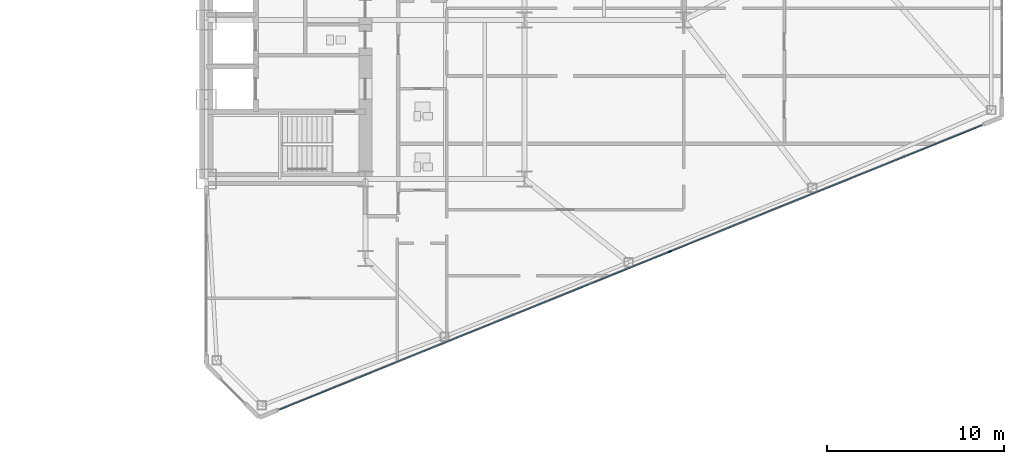
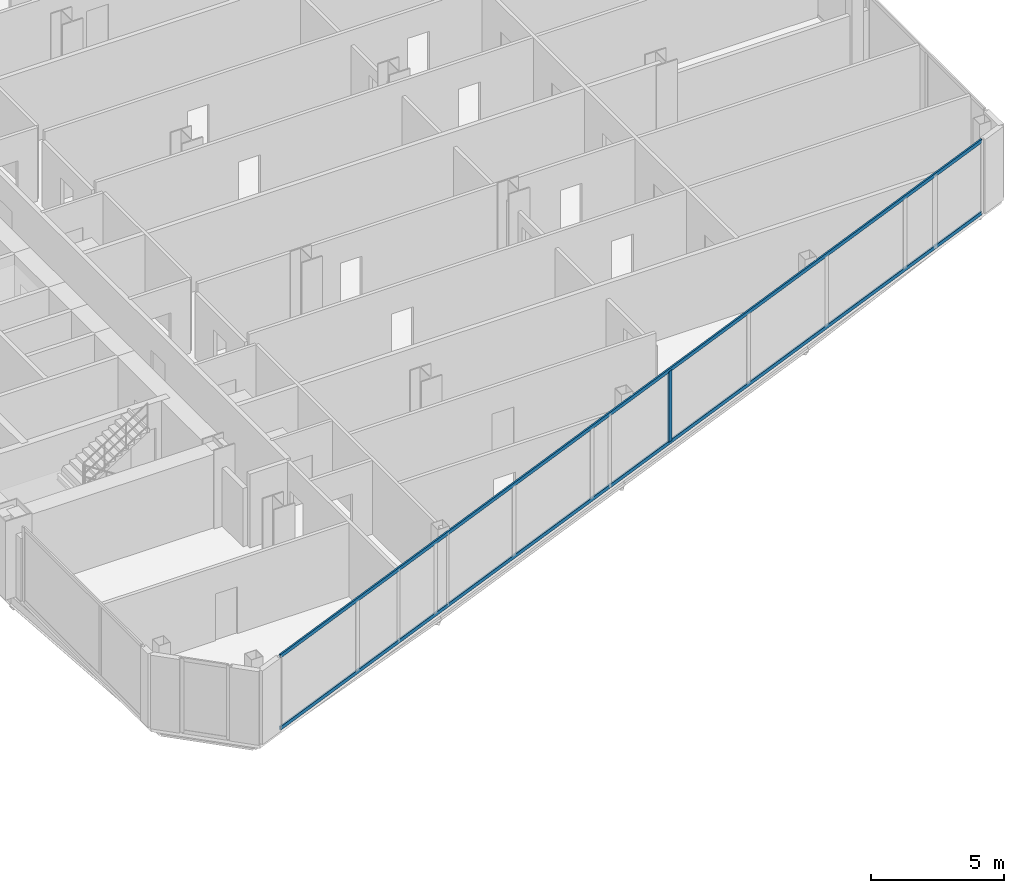
# One storey, part 10 of 25: 3 members, 1 element without a shape of its own.
"""IFC4 building model written with IfcOpenShell, lengths in metres."""

import ifcopenshell
import ifcopenshell.guid

model = None  # the IFC model being written
_history = None  # IfcOwnerHistory: only IFC2X3 demands one
_inside = {}  # id of a spatial element -> (the spatial element, [elements in it])
_under = {}  # id of a project, library or spatial element -> (it, [spatial elements below it])
_declared = {}  # id of a project -> (the project, [libraries it declares])
_typed = {}  # id of a type object -> (the type object, [elements of that type])
_made_of = {}  # id of a material, layer set ... -> (it, [elements and type objects made of it])


def new_model(schema):
    """Start an empty IFC model of exactly this schema.

    Asked for "IFC4X3", IfcOpenShell would pick the latest addendum, in which some entities
    have other attributes; the version numbers below select the first issue.
    IFC2X3 requires an IfcOwnerHistory on every rooted entity: one is made here for all.
    """
    global model, _history
    if schema == "IFC4X3":
        model = ifcopenshell.file(schema_version=(4, 3, 0, 0))
    else:
        model = ifcopenshell.file(schema=schema)
    _inside.clear()
    _under.clear()
    _declared.clear()
    _typed.clear()
    _made_of.clear()
    _history = None
    if model.schema == "IFC2X3":
        org = make("IfcOrganization", Name="unknown")
        user = make(
            "IfcPersonAndOrganization",
            ThePerson=make("IfcPerson", FamilyName="unknown"),
            TheOrganization=org,
        )
        app = make(
            "IfcApplication",
            ApplicationDeveloper=org,
            Version="unknown",
            ApplicationFullName="unknown",
            ApplicationIdentifier="unknown",
        )
        _history = make(
            "IfcOwnerHistory",
            OwningUser=user,
            OwningApplication=app,
            ChangeAction="ADDED",
            CreationDate=0,
        )
    return model


def make(cls, **values):
    """One entity of the class cls with the attributes given. An attribute that is None is left unset."""
    return model.create_entity(
        cls, **{name: value for name, value in values.items() if value is not None}
    )


def rooted(cls, **values):
    """An entity with a GlobalId (a new one), such as an element, a storey or a relation."""
    return make(cls, GlobalId=ifcopenshell.guid.new(), OwnerHistory=_history, **values)


def si_unit(unit_type, name, prefix=None):
    """IfcSIUnit, for example si_unit("LENGTHUNIT", "METRE", prefix="MILLI")."""
    return make("IfcSIUnit", UnitType=unit_type, Prefix=prefix, Name=name)


def assignment(units):
    """IfcUnitAssignment: the units of a project."""
    return None if units is None else make("IfcUnitAssignment", Units=units)


def point(xyz):
    """IfcCartesianPoint."""
    return None if xyz is None else make("IfcCartesianPoint", Coordinates=xyz)


def direction(xyz):
    """IfcDirection."""
    return None if xyz is None else make("IfcDirection", DirectionRatios=xyz)


def frame(location, z_axis=None, x_axis=None):
    """IfcAxis2Placement3D, a coordinate frame: its origin and axes. An axis left out is left unset."""
    return make(
        "IfcAxis2Placement3D",
        Location=point(location),
        Axis=direction(z_axis),
        RefDirection=direction(x_axis),
    )


def frame_2d(location, x_axis=None):
    """IfcAxis2Placement2D, a coordinate frame in the plane: its origin and x axis."""
    return make(
        "IfcAxis2Placement2D", Location=point(location), RefDirection=direction(x_axis)
    )


def origin():
    """The frame at (0, 0, 0) with its axes left unset."""
    return frame((0.0, 0.0, 0.0))


def origin_2d():
    """The frame at (0, 0) in the plane with its x axis left unset."""
    return frame_2d((0.0, 0.0))


def place(relative_to, where):
    """IfcLocalPlacement: puts the frame where relative to a parent placement (None: the world)."""
    return make(
        "IfcLocalPlacement", PlacementRelTo=relative_to, RelativePlacement=where
    )


def context(
    kind, dimensions, precision=None, world=None, true_north=None, identifier=None
):
    """IfcGeometricRepresentationContext, for example the 3D "Model" context."""
    return make(
        "IfcGeometricRepresentationContext",
        ContextIdentifier=identifier,
        ContextType=kind,
        CoordinateSpaceDimension=dimensions,
        Precision=precision,
        WorldCoordinateSystem=world,
        TrueNorth=true_north,
    )


def subcontext(parent, identifier, kind, view, scale=None):
    """IfcGeometricRepresentationSubContext, for example "Body" below "Model"."""
    return make(
        "IfcGeometricRepresentationSubContext",
        ContextIdentifier=identifier,
        ContextType=kind,
        ParentContext=parent,
        TargetScale=scale,
        TargetView=view,
    )


def project(units=None, contexts=None):
    """IfcProject with its units and contexts."""
    return rooted(
        "IfcProject",
        Name="project",
        RepresentationContexts=contexts,
        UnitsInContext=assignment(units),
    )


def spatial(cls, under=None, at=None, **own):
    """A site, building, storey or space (cls), placed at a placement, below another one or the project."""
    s = rooted(cls, ObjectPlacement=at, **own)
    if under is not None:
        _under.setdefault(under.id(), (under, []))[1].append(s)
    return s


def profile(cls, at=None, kind="AREA", **sizes):
    """A parametric profile (cls). Its sizes go by their IFC names, for example OverallWidth=200.0."""
    return make(cls, ProfileType=kind, Position=at, **sizes)


def rectangle(**sizes):
    """IfcRectangleProfileDef."""
    return profile("IfcRectangleProfileDef", **sizes)


def extrude(swept, where, along, depth):
    """IfcExtrudedAreaSolid: the profile swept, set in the frame where, extruded along a direction by depth."""
    return make(
        "IfcExtrudedAreaSolid",
        SweptArea=swept,
        Position=where,
        ExtrudedDirection=direction(along),
        Depth=depth,
    )


def shape(context_of_items, identifier, shape_type, items):
    """IfcShapeRepresentation: the items that make up one representation, for example the "Body"."""
    return make(
        "IfcShapeRepresentation",
        ContextOfItems=context_of_items,
        RepresentationIdentifier=identifier,
        RepresentationType=shape_type,
        Items=items,
    )


def source(mapping_origin, context_of_items, identifier, shape_type, items):
    """IfcRepresentationMap: a shape defined once, which mapped items show again and again."""
    return make(
        "IfcRepresentationMap",
        MappingOrigin=mapping_origin,
        MappedRepresentation=shape(context_of_items, identifier, shape_type, items),
    )


def transform(
    local_origin,
    x_axis=None,
    y_axis=None,
    z_axis=None,
    scale=None,
    scale2=None,
    scale3=None,
    uniform=True,
):
    """IfcCartesianTransformationOperator3D, or its non-uniform kind. x_axis, y_axis, z_axis: its Axis1, 2, 3."""
    if uniform:
        return make(
            "IfcCartesianTransformationOperator3D",
            Axis1=direction(x_axis),
            Axis2=direction(y_axis),
            LocalOrigin=point(local_origin),
            Scale=scale,
            Axis3=direction(z_axis),
        )
    return make(
        "IfcCartesianTransformationOperator3DnonUniform",
        Axis1=direction(x_axis),
        Axis2=direction(y_axis),
        LocalOrigin=point(local_origin),
        Scale=scale,
        Axis3=direction(z_axis),
        Scale2=scale2,
        Scale3=scale3,
    )


def mapped(mapping_source, mapping_target):
    """IfcMappedItem: shows the shape of a source again, moved by a transform."""
    return make(
        "IfcMappedItem", MappingSource=mapping_source, MappingTarget=mapping_target
    )


def material(Name=None, Category=None):
    """IfcMaterial."""
    return make("IfcMaterial", Name=Name, Category=Category)


def layer(
    of_material, thickness, ventilated=None, Name=None, Category=None, Priority=None
):
    """IfcMaterialLayer: one layer of a wall or slab, of a material (None: an air gap)."""
    return make(
        "IfcMaterialLayer",
        Material=of_material,
        LayerThickness=thickness,
        IsVentilated=ventilated,
        Name=Name,
        Category=Category,
        Priority=Priority,
    )


def layer_set(layers, Name=None):
    """IfcMaterialLayerSet."""
    return make("IfcMaterialLayerSet", MaterialLayers=layers, LayerSetName=Name)


def material_profile(
    of_material, cross_section, Name=None, Category=None, Priority=None
):
    """IfcMaterialProfile: a cross section and its material."""
    return make(
        "IfcMaterialProfile",
        Name=Name,
        Material=of_material,
        Profile=cross_section,
        Priority=Priority,
        Category=Category,
    )


def profile_set(profiles, Name=None, composite=None):
    """IfcMaterialProfileSet."""
    return make(
        "IfcMaterialProfileSet",
        Name=Name,
        MaterialProfiles=profiles,
        CompositeProfile=composite,
    )


def made_of(thing, what):
    """Note that an element or type object is made of a material, layer set ...; save() writes the relation."""
    if what is not None:
        _made_of.setdefault(what.id(), (what, []))[1].append(thing)
    return thing


def type_object(cls, material=None, **own):
    """A type object (cls), such as IfcWallType, which elements share."""
    return made_of(rooted(cls, **own), material)


def type_shapes(of_type, sources):
    """Give a type object the sources (RepresentationMaps) that its elements show as mapped items."""
    of_type.RepresentationMaps = sources


def element(
    cls,
    number,
    at=None,
    inside=None,
    cuts=None,
    type_object=None,
    material=None,
    context=None,
    identifier="Body",
    shape_type=None,
    held_by="IfcProductDefinitionShape",
    body=None,
    shapes=None,
    **own,
):
    """One element of the class cls, such as IfcWall. Its Tag is "e" and its number.

    at: its placement. inside: the storey or other place that contains it. cuts: it is an
    opening in that element (IfcRelVoidsElement). A single representation is given by context,
    identifier, shape_type and body (its items); several are given by shapes. held_by: the class
    of the entity that holds the representations. save() writes the other relations.
    """
    e = rooted(cls, Tag="e%d" % number, ObjectPlacement=at, **own)
    if body is not None:
        shapes = [shape(context, identifier, shape_type, body)]
    if shapes is not None:
        e.Representation = make(held_by, Representations=shapes)
    if inside is not None:
        _inside.setdefault(inside.id(), (inside, []))[1].append(e)
    if cuts is not None:
        rooted(
            "IfcRelVoidsElement", RelatingBuildingElement=cuts, RelatedOpeningElement=e
        )
    if type_object is not None:
        _typed.setdefault(type_object.id(), (type_object, []))[1].append(e)
    return made_of(e, material)


def aggregate(whole, parts):
    """IfcRelAggregates: a whole, such as a stair, and the parts it consists of."""
    return rooted("IfcRelAggregates", RelatingObject=whole, RelatedObjects=parts)


def save(model, path):
    """Write the relations noted so far, then the file.

    IfcRelAggregates (storeys below a building ...), IfcRelContainedInSpatialStructure (elements
    in a storey), IfcRelDefinesByType, IfcRelAssociatesMaterial and IfcRelDeclares: one each for
    every whole, place, type object, material and project.
    """
    for whole, parts in _under.values():
        aggregate(whole, parts)
    for where, things in _inside.values():
        rooted(
            "IfcRelContainedInSpatialStructure",
            RelatedElements=things,
            RelatingStructure=where,
        )
    for kind, things in _typed.values():
        rooted("IfcRelDefinesByType", RelatedObjects=things, RelatingType=kind)
    for what, things in _made_of.values():
        rooted("IfcRelAssociatesMaterial", RelatedObjects=things, RelatingMaterial=what)
    for by, libraries in _declared.values():
        rooted("IfcRelDeclares", RelatingContext=by, RelatedDefinitions=libraries)
    model.write(path)


model = new_model("IFC4")

# Units and contexts
model_context = context("Model", 3, precision=1e-05, world=origin(), true_north=direction((0.0, 1.0)))
body_context = subcontext(model_context, "Body", "Model", "MODEL_VIEW")
ifc_project = project(units=[si_unit("LENGTHUNIT", "METRE"), si_unit("AREAUNIT", "SQUARE_METRE"), si_unit("VOLUMEUNIT", "CUBIC_METRE"), si_unit("PLANEANGLEUNIT", "RADIAN"), si_unit("MASSUNIT", "GRAM", prefix="KILO")], contexts=[model_context])

# Site, building, storey
site_placement = place(None, origin())
site = spatial("IfcSite", under=ifc_project, at=site_placement, CompositionType="ELEMENT")
building_placement = place(site_placement, origin())
building = spatial("IfcBuilding", under=site, at=building_placement, Name="Seokmaru Belvedere", CompositionType="ELEMENT")
storey_placement = place(building_placement, frame((0.0, 0.0, 36.89990234375)))
storey = spatial("IfcBuildingStorey", under=building, at=storey_placement, Name="L09", CompositionType="ELEMENT", Elevation=36.89990234375)

# Curtain wall, members
ifc_material_1 = material(Name="Bronze Triple Insulating Glass", Category="glass")
ifc_layer = layer(ifc_material_1, 0.2099609375)
ifc_layer_set = layer_set([ifc_layer], Name="Bronze Triple Insulating Glass")
curtain_wall_type = type_object("IfcCurtainWallType", Name="Low-Rise Faceted Crystal Curtain Wall System CW-2", PredefinedType="NOTDEFINED", material=ifc_layer_set)
curtain_wall_placement = place(storey_placement, origin())
curtain_wall = element("IfcCurtainWall", 1, at=curtain_wall_placement, inside=storey, type_object=curtain_wall_type, Name="L09 Curtain Wall EF1", PredefinedType="NOTDEFINED")
ifc_material_2 = material(Name="Anodised Bronze Aluminium", Category="aluminium")
ifc_material_profile_1 = material_profile(ifc_material_2, rectangle(XDim=0.074951171875, YDim=0.2099609375, at=origin_2d()), Name="CW-M-75x210")
ifc_profile_set_1 = profile_set([ifc_material_profile_1], Name="Anodised Bronze Aluminium")
member_type_1 = type_object("IfcMemberType", Name="Bronze Unitised Mullion 75x210", PredefinedType="MULLION", material=ifc_profile_set_1)
shared_shape_1 = source(origin(), body_context, "Body", "SweptSolid", [
    extrude(rectangle(XDim=0.074951171875, YDim=0.2099609375, at=origin_2d()), origin(), (0.0, 0.0, 1.0), 3.239990234375),
])
type_shapes(member_type_1, [shared_shape_1])
member_1_placement = place(storey_placement, frame((53.71484375, -17.603515625, 0.070068359375), z_axis=(0.0, 0.0, 1.0), x_axis=(-0.375192321888, 0.926946989637, 0.0)))
member_1 = element("IfcMember", 2, at=member_1_placement, type_object=member_type_1, Name="CW:L09:EF1 Mullion 6", PredefinedType="MULLION", context=body_context, shape_type="MappedRepresentation", body=[
    mapped(shared_shape_1, transform((0.0, 0.0, 0.0), scale=1.0)),
])
ifc_material_profile_2 = material_profile(ifc_material_2, rectangle(XDim=0.070068359375, YDim=0.1650390625, at=origin_2d()), Name="CW-T-70x165")
ifc_profile_set_2 = profile_set([ifc_material_profile_2], Name="Anodised Bronze Aluminium")
member_type_2 = type_object("IfcMemberType", Name="Bronze Unitised Transom 70x165", PredefinedType="USERDEFINED", material=ifc_profile_set_2)
shared_shape_2 = source(origin(), body_context, "Body", "SweptSolid", [
    extrude(rectangle(XDim=0.070068359375, YDim=0.1650390625, at=origin_2d()), origin(), (0.0, 0.0, 1.0), 42.860107421875),
])
type_shapes(member_type_2, [shared_shape_2])
member_2_placement = place(storey_placement, frame((31.635498046875, -26.540283203125, 0.03515625), z_axis=(0.926948605599, 0.375188329481, 0.0), x_axis=(-0.375188329481, 0.926948605599, 0.0)))
member_2 = element("IfcMember", 3, at=member_2_placement, type_object=member_type_2, Name="CW:L09:EF1 Continuous Transom 1", ObjectType="TRANSOM", PredefinedType="USERDEFINED", context=body_context, shape_type="MappedRepresentation", body=[
    mapped(shared_shape_2, transform((0.0, 0.0, 0.0), scale=1.0)),
])
member_3_placement = place(storey_placement, frame((31.635498046875, -26.540283203125, 3.34521484375), z_axis=(0.926948605599, 0.375188329481, 0.0), x_axis=(-0.375188329481, 0.926948605599, 0.0)))
member_3 = element("IfcMember", 4, at=member_3_placement, type_object=member_type_2, Name="CW:L09:EF1 Continuous Transom 2", ObjectType="TRANSOM", PredefinedType="USERDEFINED", context=body_context, shape_type="MappedRepresentation", body=[
    mapped(shared_shape_2, transform((0.0, 0.0, 0.0), scale=1.0)),
])
aggregate(curtain_wall, [member_1, member_2, member_3])

save(model, "model.ifc")
